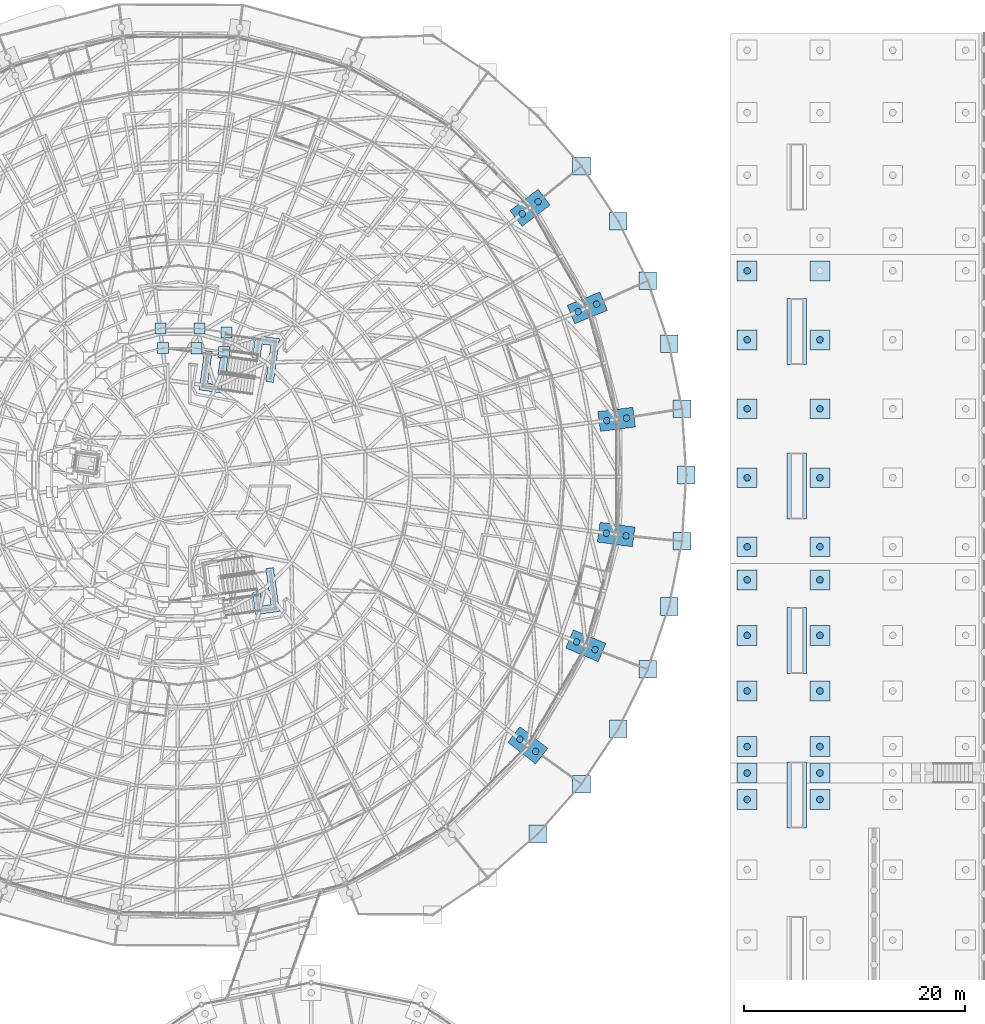
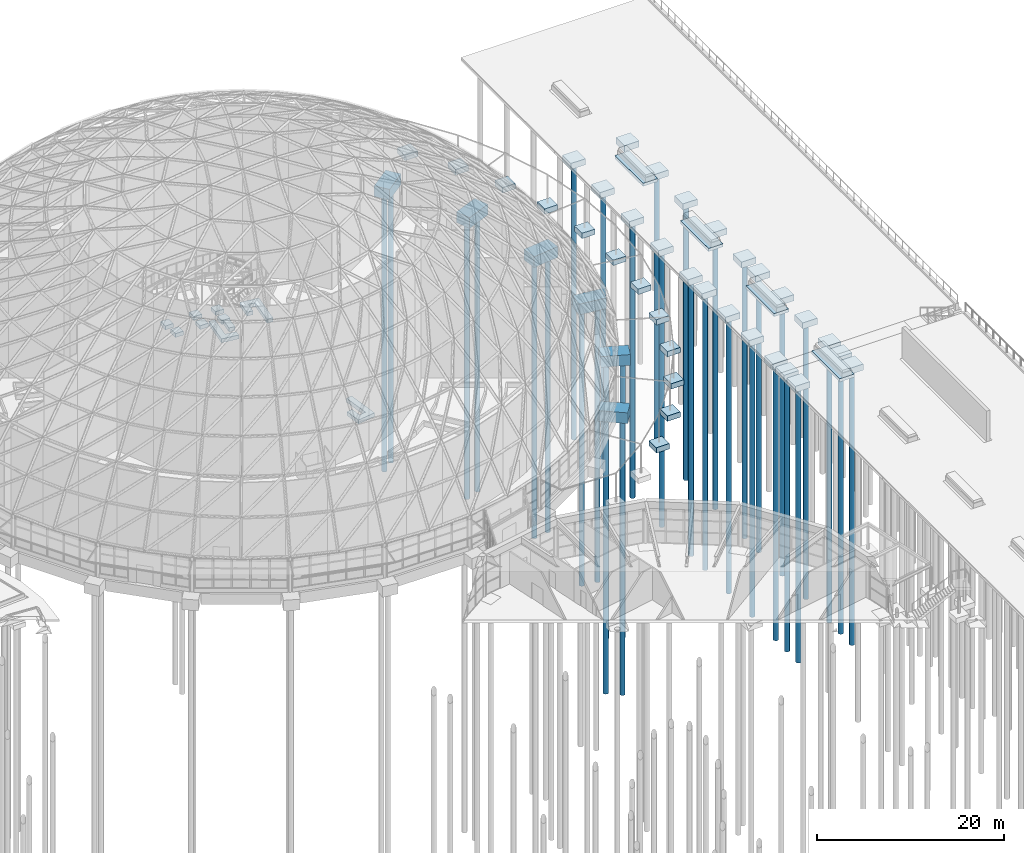
# One storey, part 10 of 226: 54 footings, 33 piles.
"""IFC4 building model written with IfcOpenShell, lengths in metres."""

from ifc_helpers import new_model, si_unit, direction, frame, origin, origin_2d, place, context, subcontext, project, spatial, polyline, circle, outline, extrude, material, layer, layer_set, material_profile, profile_set, type_object, element, save


model = new_model("IFC4")

# Units and contexts
model_context = context("Model", 3, precision=1e-05, world=origin(), true_north=direction((0.0, 1.0)))
body_context = subcontext(model_context, "Body", "Model", "MODEL_VIEW")
ifc_project = project(units=[si_unit("LENGTHUNIT", "METRE"), si_unit("AREAUNIT", "SQUARE_METRE"), si_unit("VOLUMEUNIT", "CUBIC_METRE"), si_unit("PLANEANGLEUNIT", "RADIAN"), si_unit("MASSUNIT", "GRAM", prefix="KILO")], contexts=[model_context])

# Site, building, storey
site_placement = place(None, origin())
site = spatial("IfcSite", under=ifc_project, at=site_placement, CompositionType="ELEMENT")
building_placement = place(site_placement, origin())
building = spatial("IfcBuilding", under=site, at=building_placement, Name="Ceibo Conservatory and Research Tower", CompositionType="ELEMENT")
storey_placement = place(building_placement, origin())
storey = spatial("IfcBuildingStorey", under=building, at=storey_placement, Name="L00", CompositionType="ELEMENT", Elevation=0.0)

# Piles
ifc_material_1 = material(Name="Concrete C35/45", Category="concrete")
ifc_material_profile = material_profile(ifc_material_1, circle(Radius=0.300048828125, at=origin_2d()), Name="RC D600")
ifc_profile_set = profile_set([ifc_material_profile], Name="Concrete C35/45")
pile_type = type_object("IfcPileType", Name="Bored pile D600", PredefinedType="BORED", material=ifc_profile_set)
for number, where, z_axis, x_axis, name in (
    (1, (194.787353515625, 112.934326171875, -1.300048828125), (0.0, 0.0, -1.0), (1.0, 0.0, 0.0), "Pile DA.CAP.L00.01 01"),
    (2, (196.572998046875, 113.16162109375, -1.300048828125), (0.0, 0.0, -1.0), (1.0, 0.0, 0.0), "Pile DA.CAP.L00.01 02"),
    (3, (192.188720703125, 122.80517578125, -1.300048828125), (0.0, 0.0, -1.0), (1.0, 0.0, 0.0), "Pile DA.CAP.L00.02 01"),
    (4, (193.8544921875, 123.48681640625, -1.300048828125), (0.0, 0.0, -1.0), (1.0, 0.0, 0.0), "Pile DA.CAP.L00.02 02"),
    (5, (187.123779296875, 131.6669921875, -1.300048828125), (0.0, 0.0, -1.0), (1.0, 0.0, 0.0), "Pile DA.CAP.L00.03 01"),
    (6, (188.556396484375, 132.756591796875, -1.300048828125), (0.0, 0.0, -1.0), (1.0, 0.0, 0.0), "Pile DA.CAP.L00.03 02"),
    (7, (186.916015625, 84.062255859375, -1.300048828125), (0.0, 0.0, -1.0), (1.0, 0.0, 0.0), "Pile DA.CAP.L00.22 01"),
    (8, (188.339111328125, 82.960205078125, -1.300048828125), (0.0, 0.0, -1.0), (1.0, 0.0, 0.0), "Pile DA.CAP.L00.22 02"),
    (9, (192.05810546875, 92.879638671875, -1.300048828125), (0.0, 0.0, -1.0), (1.0, 0.0, 0.0), "Pile DA.CAP.L00.23 01"),
    (10, (193.718017578125, 92.18359375, -1.300048828125), (0.0, 0.0, -1.0), (1.0, 0.0, 0.0), "Pile DA.CAP.L00.23 02"),
    (11, (194.742919921875, 102.727294921875, -1.300048828125), (0.0, 0.0, -1.0), (1.0, 0.0, 0.0), "Pile DA.CAP.L00.24 01"),
    (12, (196.5263671875, 102.484619140625, -1.300048828125), (0.0, 0.0, -1.0), (1.0, 0.0, 0.0), "Pile DA.CAP.L00.24 02"),
    (13, (207.5, 78.60009765625, -1.14990234375), (0.0, 0.0, -1.0), (1.0, 0.0, 0.0), "Pile SITE.QDECK.CAP.N3.13 01"),
    (14, (214.10009765625, 78.60009765625, -1.14990234375), (0.0, 0.0, -1.0), (1.0, 0.0, 0.0), "Pile SITE.QDECK.CAP.N3.14 01"),
    (15, (207.5, 81.0, -1.14990234375), (0.0, 0.0, -1.0), (1.0, 0.0, 0.0), "Pile SITE.QDECK.CAP.N3.17 01"),
    (16, (214.10009765625, 81.0, -1.14990234375), (0.0, 0.0, -1.0), (1.0, 0.0, 0.0), "Pile SITE.QDECK.CAP.N3.18 01"),
    (17, (207.5, 83.39990234375, -1.14990234375), (0.0, 0.0, -1.0), (1.0, 0.0, 0.0), "Pile SITE.QDECK.CAP.S1.01 01"),
    (18, (214.10009765625, 83.39990234375, -1.14990234375), (0.0, 0.0, -1.0), (1.0, 0.0, 0.0), "Pile SITE.QDECK.CAP.S1.02 01"),
    (19, (207.5, 88.433349609375, -1.14990234375), (0.0, 0.0, -1.0), (1.0, 0.0, 0.0), "Pile SITE.QDECK.CAP.S1.05 01"),
    (20, (214.10009765625, 88.433349609375, -1.14990234375), (0.0, 0.0, -1.0), (1.0, 0.0, 0.0), "Pile SITE.QDECK.CAP.S1.06 01"),
    (21, (207.5, 93.466552734375, -1.14990234375), (0.0, 0.0, -1.0), (1.0, 0.0, 0.0), "Pile SITE.QDECK.CAP.S1.09 01"),
    (22, (214.10009765625, 93.466552734375, -1.14990234375), (0.0, 0.0, -1.0), (1.0, 0.0, 0.0), "Pile SITE.QDECK.CAP.S1.10 01"),
    (23, (207.5, 98.5, -1.14990234375), (0.0, 0.0, -1.0), (1.0, 0.0, 0.0), "Pile SITE.QDECK.CAP.S1.13 01"),
    (24, (214.10009765625, 98.5, -1.14990234375), (0.0, 0.0, -1.0), (1.0, 0.0, 0.0), "Pile SITE.QDECK.CAP.S1.14 01"),
    (25, (207.5, 101.5, -1.14990234375), (0.0, 0.0, -1.0), (1.0, 0.0, 0.0), "Pile SITE.QDECK.CAP.S2.01 01"),
    (26, (214.10009765625, 101.5, -1.14990234375), (0.0, 0.0, -1.0), (1.0, 0.0, 0.0), "Pile SITE.QDECK.CAP.S2.02 01"),
    (27, (207.5, 107.75, -1.14990234375), (0.0, 0.0, -1.0), (1.0, 0.0, 0.0), "Pile SITE.QDECK.CAP.S2.05 01"),
    (28, (214.10009765625, 107.75, -1.14990234375), (0.0, 0.0, -1.0), (1.0, 0.0, 0.0), "Pile SITE.QDECK.CAP.S2.06 01"),
    (29, (207.5, 114.0, -1.14990234375), (0.0, 0.0, -1.0), (1.0, 0.0, 0.0), "Pile SITE.QDECK.CAP.S2.09 01"),
    (30, (214.10009765625, 114.0, -1.14990234375), (0.0, 0.0, -1.0), (1.0, 0.0, 0.0), "Pile SITE.QDECK.CAP.S2.10 01"),
    (31, (207.5, 120.25, -1.14990234375), (0.0, 0.0, -1.0), (1.0, 0.0, 0.0), "Pile SITE.QDECK.CAP.S2.13 01"),
    (32, (214.10009765625, 120.25, -1.14990234375), (0.0, 0.0, -1.0), (1.0, 0.0, 0.0), "Pile SITE.QDECK.CAP.S2.14 01"),
    (33, (207.5, 126.5, -1.14990234375), (0.0, 0.0, -1.0), (1.0, 0.0, 0.0), "Pile SITE.QDECK.CAP.S2.17 01"),
):
    element("IfcPile", number, at=place(storey_placement, frame(where, z_axis=z_axis, x_axis=x_axis)), inside=storey, type_object=pile_type, Name=name, PredefinedType="BORED", context=body_context, shape_type="SweptSolid", body=[
        extrude(circle(Radius=0.300048828125, at=origin_2d()), origin(), (0.0, 0.0, 1.0), 36.0),
    ])

# Footings
ifc_material_2 = material(Name="Concrete C40/50", Category="concrete")
ifc_layer_1 = layer(ifc_material_2, 0.699951171875)
ifc_layer_set_1 = layer_set([ifc_layer_1], Name="Concrete C40/50")
footing_type_1 = type_object("IfcFootingType", Name="Pad footing 1600x1600x700", PredefinedType="PAD_FOOTING", material=ifc_layer_set_1)
footing_1_placement = place(storey_placement, frame((0.0, 0.0, -0.699951171875)))
element("IfcFooting", 34, at=footing_1_placement, inside=storey, type_object=footing_type_1, Name="Pad footing LATE.DA.CAP.L00.03", PredefinedType="PAD_FOOTING", context=body_context, shape_type="SweptSolid", body=[
    extrude(outline(polyline([(187.726806640625, 74.673095703125), (189.326904296875, 74.673095703125), (189.326904296875, 76.273193359375), (187.726806640625, 76.273193359375), (187.726806640625, 74.673095703125)])), origin(), (0.0, 0.0, 1.0), 0.699951171875),
])
footing_2_placement = place(storey_placement, frame((0.0, 0.0, -0.699951171875)))
element("IfcFooting", 35, at=footing_2_placement, inside=storey, type_object=footing_type_1, Name="Pad footing LATE.DA.CAP.L00.04", PredefinedType="PAD_FOOTING", context=body_context, shape_type="SweptSolid", body=[
    extrude(outline(polyline([(191.6943359375, 79.197021484375), (193.294189453125, 79.197021484375), (193.294189453125, 80.796875), (191.6943359375, 80.796875), (191.6943359375, 79.197021484375)])), origin(), (0.0, 0.0, 1.0), 0.699951171875),
])
footing_3_placement = place(storey_placement, frame((0.0, 0.0, -0.699951171875)))
element("IfcFooting", 36, at=footing_3_placement, inside=storey, type_object=footing_type_1, Name="Pad footing LATE.DA.CAP.L00.05", PredefinedType="PAD_FOOTING", context=body_context, shape_type="SweptSolid", body=[
    extrude(outline(polyline([(195.037109375, 84.199951171875), (196.63720703125, 84.199951171875), (196.63720703125, 85.800048828125), (195.037109375, 85.800048828125), (195.037109375, 84.199951171875)])), origin(), (0.0, 0.0, 1.0), 0.699951171875),
])
footing_4_placement = place(storey_placement, frame((0.0, 0.0, -0.699951171875)))
element("IfcFooting", 37, at=footing_4_placement, inside=storey, type_object=footing_type_1, Name="Pad footing LATE.DA.CAP.L00.06", PredefinedType="PAD_FOOTING", context=body_context, shape_type="SweptSolid", body=[
    extrude(outline(polyline([(197.698486328125, 89.5966796875), (199.29833984375, 89.5966796875), (199.29833984375, 91.196533203125), (197.698486328125, 91.196533203125), (197.698486328125, 89.5966796875)])), origin(), (0.0, 0.0, 1.0), 0.699951171875),
])
footing_5_placement = place(storey_placement, frame((0.0, 0.0, -0.699951171875)))
element("IfcFooting", 38, at=footing_5_placement, inside=storey, type_object=footing_type_1, Name="Pad footing LATE.DA.CAP.L00.07", PredefinedType="PAD_FOOTING", context=body_context, shape_type="SweptSolid", body=[
    extrude(outline(polyline([(199.632568359375, 95.29443359375), (201.232666015625, 95.29443359375), (201.232666015625, 96.894287109375), (199.632568359375, 96.894287109375), (199.632568359375, 95.29443359375)])), origin(), (0.0, 0.0, 1.0), 0.699951171875),
])
footing_6_placement = place(storey_placement, frame((0.0, 0.0, -0.699951171875)))
element("IfcFooting", 39, at=footing_6_placement, inside=storey, type_object=footing_type_1, Name="Pad footing LATE.DA.CAP.L00.08", PredefinedType="PAD_FOOTING", context=body_context, shape_type="SweptSolid", body=[
    extrude(outline(polyline([(200.806396484375, 101.19580078125), (202.406494140625, 101.19580078125), (202.406494140625, 102.7958984375), (200.806396484375, 102.7958984375), (200.806396484375, 101.19580078125)])), origin(), (0.0, 0.0, 1.0), 0.699951171875),
])
footing_7_placement = place(storey_placement, frame((0.0, 0.0, -0.699951171875)))
element("IfcFooting", 40, at=footing_7_placement, inside=storey, type_object=footing_type_1, Name="Pad footing LATE.DA.CAP.L00.09", PredefinedType="PAD_FOOTING", context=body_context, shape_type="SweptSolid", body=[
    extrude(outline(polyline([(201.199951171875, 107.199951171875), (202.800048828125, 107.199951171875), (202.800048828125, 108.800048828125), (201.199951171875, 108.800048828125), (201.199951171875, 107.199951171875)])), origin(), (0.0, 0.0, 1.0), 0.699951171875),
])
footing_8_placement = place(storey_placement, frame((0.0, 0.0, -0.699951171875)))
element("IfcFooting", 41, at=footing_8_placement, inside=storey, type_object=footing_type_1, Name="Pad footing LATE.DA.CAP.L00.10", PredefinedType="PAD_FOOTING", context=body_context, shape_type="SweptSolid", body=[
    extrude(outline(polyline([(200.806396484375, 113.2041015625), (202.406494140625, 113.2041015625), (202.406494140625, 114.80419921875), (200.806396484375, 114.80419921875), (200.806396484375, 113.2041015625)])), origin(), (0.0, 0.0, 1.0), 0.699951171875),
])
footing_9_placement = place(storey_placement, frame((0.0, 0.0, -0.699951171875)))
element("IfcFooting", 42, at=footing_9_placement, inside=storey, type_object=footing_type_1, Name="Pad footing LATE.DA.CAP.L00.11", PredefinedType="PAD_FOOTING", context=body_context, shape_type="SweptSolid", body=[
    extrude(outline(polyline([(199.632568359375, 119.105712890625), (201.232666015625, 119.105712890625), (201.232666015625, 120.70556640625), (199.632568359375, 120.70556640625), (199.632568359375, 119.105712890625)])), origin(), (0.0, 0.0, 1.0), 0.699951171875),
])
footing_10_placement = place(storey_placement, frame((0.0, 0.0, -0.699951171875)))
element("IfcFooting", 43, at=footing_10_placement, inside=storey, type_object=footing_type_1, Name="Pad footing LATE.DA.CAP.L00.12", PredefinedType="PAD_FOOTING", context=body_context, shape_type="SweptSolid", body=[
    extrude(outline(polyline([(197.698486328125, 124.803466796875), (199.29833984375, 124.803466796875), (199.29833984375, 126.4033203125), (197.698486328125, 126.4033203125), (197.698486328125, 124.803466796875)])), origin(), (0.0, 0.0, 1.0), 0.699951171875),
])
footing_11_placement = place(storey_placement, frame((0.0, 0.0, -0.699951171875)))
element("IfcFooting", 44, at=footing_11_placement, inside=storey, type_object=footing_type_1, Name="Pad footing LATE.DA.CAP.L00.13", PredefinedType="PAD_FOOTING", context=body_context, shape_type="SweptSolid", body=[
    extrude(outline(polyline([(195.037109375, 130.199951171875), (196.63720703125, 130.199951171875), (196.63720703125, 131.800048828125), (195.037109375, 131.800048828125), (195.037109375, 130.199951171875)])), origin(), (0.0, 0.0, 1.0), 0.699951171875),
])
footing_12_placement = place(storey_placement, frame((0.0, 0.0, -0.699951171875)))
element("IfcFooting", 45, at=footing_12_placement, inside=storey, type_object=footing_type_1, Name="Pad footing LATE.DA.CAP.L00.14", PredefinedType="PAD_FOOTING", context=body_context, shape_type="SweptSolid", body=[
    extrude(outline(polyline([(191.6943359375, 135.203125), (193.294189453125, 135.203125), (193.294189453125, 136.802978515625), (191.6943359375, 136.802978515625), (191.6943359375, 135.203125)])), origin(), (0.0, 0.0, 1.0), 0.699951171875),
])
ifc_layer_2 = layer(ifc_material_2, 0.800048828125)
ifc_layer_set_2 = layer_set([ifc_layer_2], Name="Concrete C40/50")
footing_type_2 = type_object("IfcFootingType", Name="Pile cap 1800x1800x800", PredefinedType="PILE_CAP", material=ifc_layer_set_2)
footing_13_placement = place(storey_placement, frame((0.0, 0.0, -1.25)))
element("IfcFooting", 46, at=footing_13_placement, inside=storey, type_object=footing_type_2, Name="Quay deck pile cap N3-13", PredefinedType="PILE_CAP", context=body_context, shape_type="SweptSolid", body=[
    extrude(outline(polyline([(206.60009765625, 77.699951171875), (208.39990234375, 77.699951171875), (208.39990234375, 79.5), (206.60009765625, 79.5), (206.60009765625, 77.699951171875)])), origin(), (0.0, 0.0, 1.0), 0.800048828125),
])
footing_14_placement = place(storey_placement, frame((0.0, 0.0, -1.25)))
element("IfcFooting", 47, at=footing_14_placement, inside=storey, type_object=footing_type_2, Name="Quay deck pile cap N3-14", PredefinedType="PILE_CAP", context=body_context, shape_type="SweptSolid", body=[
    extrude(outline(polyline([(213.199951171875, 77.699951171875), (215.0, 77.699951171875), (215.0, 79.5), (213.199951171875, 79.5), (213.199951171875, 77.699951171875)])), origin(), (0.0, 0.0, 1.0), 0.800048828125),
])
footing_15_placement = place(storey_placement, frame((0.0, 0.0, -1.25)))
element("IfcFooting", 48, at=footing_15_placement, inside=storey, type_object=footing_type_2, Name="Quay deck pile cap N3-17", PredefinedType="PILE_CAP", context=body_context, shape_type="SweptSolid", body=[
    extrude(outline(polyline([(206.60009765625, 80.10009765625), (208.39990234375, 80.10009765625), (208.39990234375, 81.89990234375), (206.60009765625, 81.89990234375), (206.60009765625, 80.10009765625)])), origin(), (0.0, 0.0, 1.0), 0.800048828125),
])
footing_16_placement = place(storey_placement, frame((0.0, 0.0, -1.25)))
element("IfcFooting", 49, at=footing_16_placement, inside=storey, type_object=footing_type_2, Name="Quay deck pile cap N3-18", PredefinedType="PILE_CAP", context=body_context, shape_type="SweptSolid", body=[
    extrude(outline(polyline([(213.199951171875, 80.10009765625), (215.0, 80.10009765625), (215.0, 81.89990234375), (213.199951171875, 81.89990234375), (213.199951171875, 80.10009765625)])), origin(), (0.0, 0.0, 1.0), 0.800048828125),
])
footing_17_placement = place(storey_placement, frame((0.0, 0.0, -1.25)))
element("IfcFooting", 50, at=footing_17_placement, inside=storey, type_object=footing_type_2, Name="Quay deck pile cap S1-01", PredefinedType="PILE_CAP", context=body_context, shape_type="SweptSolid", body=[
    extrude(outline(polyline([(206.60009765625, 82.5), (208.39990234375, 82.5), (208.39990234375, 84.300048828125), (206.60009765625, 84.300048828125), (206.60009765625, 82.5)])), origin(), (0.0, 0.0, 1.0), 0.800048828125),
])
footing_18_placement = place(storey_placement, frame((0.0, 0.0, -1.25)))
element("IfcFooting", 51, at=footing_18_placement, inside=storey, type_object=footing_type_2, Name="Quay deck pile cap S1-02", PredefinedType="PILE_CAP", context=body_context, shape_type="SweptSolid", body=[
    extrude(outline(polyline([(213.199951171875, 82.5), (215.0, 82.5), (215.0, 84.300048828125), (213.199951171875, 84.300048828125), (213.199951171875, 82.5)])), origin(), (0.0, 0.0, 1.0), 0.800048828125),
])
footing_19_placement = place(storey_placement, frame((0.0, 0.0, -1.25)))
element("IfcFooting", 52, at=footing_19_placement, inside=storey, type_object=footing_type_2, Name="Quay deck pile cap S1-05", PredefinedType="PILE_CAP", context=body_context, shape_type="SweptSolid", body=[
    extrude(outline(polyline([(206.60009765625, 87.533447265625), (208.39990234375, 87.533447265625), (208.39990234375, 89.333251953125), (206.60009765625, 89.333251953125), (206.60009765625, 87.533447265625)])), origin(), (0.0, 0.0, 1.0), 0.800048828125),
])
footing_20_placement = place(storey_placement, frame((0.0, 0.0, -1.25)))
element("IfcFooting", 53, at=footing_20_placement, inside=storey, type_object=footing_type_2, Name="Quay deck pile cap S1-06", PredefinedType="PILE_CAP", context=body_context, shape_type="SweptSolid", body=[
    extrude(outline(polyline([(213.199951171875, 87.533447265625), (215.0, 87.533447265625), (215.0, 89.333251953125), (213.199951171875, 89.333251953125), (213.199951171875, 87.533447265625)])), origin(), (0.0, 0.0, 1.0), 0.800048828125),
])
footing_21_placement = place(storey_placement, frame((0.0, 0.0, -1.25)))
element("IfcFooting", 54, at=footing_21_placement, inside=storey, type_object=footing_type_2, Name="Quay deck pile cap S1-09", PredefinedType="PILE_CAP", context=body_context, shape_type="SweptSolid", body=[
    extrude(outline(polyline([(206.60009765625, 92.566650390625), (208.39990234375, 92.566650390625), (208.39990234375, 94.36669921875), (206.60009765625, 94.36669921875), (206.60009765625, 92.566650390625)])), origin(), (0.0, 0.0, 1.0), 0.800048828125),
])
footing_22_placement = place(storey_placement, frame((0.0, 0.0, -1.25)))
element("IfcFooting", 55, at=footing_22_placement, inside=storey, type_object=footing_type_2, Name="Quay deck pile cap S1-10", PredefinedType="PILE_CAP", context=body_context, shape_type="SweptSolid", body=[
    extrude(outline(polyline([(213.199951171875, 92.566650390625), (215.0, 92.566650390625), (215.0, 94.36669921875), (213.199951171875, 94.36669921875), (213.199951171875, 92.566650390625)])), origin(), (0.0, 0.0, 1.0), 0.800048828125),
])
footing_23_placement = place(storey_placement, frame((0.0, 0.0, -1.25)))
element("IfcFooting", 56, at=footing_23_placement, inside=storey, type_object=footing_type_2, Name="Quay deck pile cap S1-13", PredefinedType="PILE_CAP", context=body_context, shape_type="SweptSolid", body=[
    extrude(outline(polyline([(206.60009765625, 97.60009765625), (208.39990234375, 97.60009765625), (208.39990234375, 99.39990234375), (206.60009765625, 99.39990234375), (206.60009765625, 97.60009765625)])), origin(), (0.0, 0.0, 1.0), 0.800048828125),
])
footing_24_placement = place(storey_placement, frame((0.0, 0.0, -1.25)))
element("IfcFooting", 57, at=footing_24_placement, inside=storey, type_object=footing_type_2, Name="Quay deck pile cap S1-14", PredefinedType="PILE_CAP", context=body_context, shape_type="SweptSolid", body=[
    extrude(outline(polyline([(213.199951171875, 97.60009765625), (215.0, 97.60009765625), (215.0, 99.39990234375), (213.199951171875, 99.39990234375), (213.199951171875, 97.60009765625)])), origin(), (0.0, 0.0, 1.0), 0.800048828125),
])
footing_25_placement = place(storey_placement, frame((0.0, 0.0, -1.25)))
element("IfcFooting", 58, at=footing_25_placement, inside=storey, type_object=footing_type_2, Name="Quay deck pile cap S2-01", PredefinedType="PILE_CAP", context=body_context, shape_type="SweptSolid", body=[
    extrude(outline(polyline([(206.60009765625, 100.60009765625), (208.39990234375, 100.60009765625), (208.39990234375, 102.39990234375), (206.60009765625, 102.39990234375), (206.60009765625, 100.60009765625)])), origin(), (0.0, 0.0, 1.0), 0.800048828125),
])
footing_26_placement = place(storey_placement, frame((0.0, 0.0, -1.25)))
element("IfcFooting", 59, at=footing_26_placement, inside=storey, type_object=footing_type_2, Name="Quay deck pile cap S2-02", PredefinedType="PILE_CAP", context=body_context, shape_type="SweptSolid", body=[
    extrude(outline(polyline([(213.199951171875, 100.60009765625), (215.0, 100.60009765625), (215.0, 102.39990234375), (213.199951171875, 102.39990234375), (213.199951171875, 100.60009765625)])), origin(), (0.0, 0.0, 1.0), 0.800048828125),
])
footing_27_placement = place(storey_placement, frame((0.0, 0.0, -1.25)))
element("IfcFooting", 60, at=footing_27_placement, inside=storey, type_object=footing_type_2, Name="Quay deck pile cap S2-05", PredefinedType="PILE_CAP", context=body_context, shape_type="SweptSolid", body=[
    extrude(outline(polyline([(206.60009765625, 106.85009765625), (208.39990234375, 106.85009765625), (208.39990234375, 108.64990234375), (206.60009765625, 108.64990234375), (206.60009765625, 106.85009765625)])), origin(), (0.0, 0.0, 1.0), 0.800048828125),
])
footing_28_placement = place(storey_placement, frame((0.0, 0.0, -1.25)))
element("IfcFooting", 61, at=footing_28_placement, inside=storey, type_object=footing_type_2, Name="Quay deck pile cap S2-06", PredefinedType="PILE_CAP", context=body_context, shape_type="SweptSolid", body=[
    extrude(outline(polyline([(213.199951171875, 106.85009765625), (215.0, 106.85009765625), (215.0, 108.64990234375), (213.199951171875, 108.64990234375), (213.199951171875, 106.85009765625)])), origin(), (0.0, 0.0, 1.0), 0.800048828125),
])
footing_29_placement = place(storey_placement, frame((0.0, 0.0, -1.25)))
element("IfcFooting", 62, at=footing_29_placement, inside=storey, type_object=footing_type_2, Name="Quay deck pile cap S2-09", PredefinedType="PILE_CAP", context=body_context, shape_type="SweptSolid", body=[
    extrude(outline(polyline([(206.60009765625, 113.10009765625), (208.39990234375, 113.10009765625), (208.39990234375, 114.89990234375), (206.60009765625, 114.89990234375), (206.60009765625, 113.10009765625)])), origin(), (0.0, 0.0, 1.0), 0.800048828125),
])
footing_30_placement = place(storey_placement, frame((0.0, 0.0, -1.25)))
element("IfcFooting", 63, at=footing_30_placement, inside=storey, type_object=footing_type_2, Name="Quay deck pile cap S2-10", PredefinedType="PILE_CAP", context=body_context, shape_type="SweptSolid", body=[
    extrude(outline(polyline([(213.199951171875, 113.10009765625), (215.0, 113.10009765625), (215.0, 114.89990234375), (213.199951171875, 114.89990234375), (213.199951171875, 113.10009765625)])), origin(), (0.0, 0.0, 1.0), 0.800048828125),
])
footing_31_placement = place(storey_placement, frame((0.0, 0.0, -1.25)))
element("IfcFooting", 64, at=footing_31_placement, inside=storey, type_object=footing_type_2, Name="Quay deck pile cap S2-13", PredefinedType="PILE_CAP", context=body_context, shape_type="SweptSolid", body=[
    extrude(outline(polyline([(206.60009765625, 119.35009765625), (208.39990234375, 119.35009765625), (208.39990234375, 121.14990234375), (206.60009765625, 121.14990234375), (206.60009765625, 119.35009765625)])), origin(), (0.0, 0.0, 1.0), 0.800048828125),
])
footing_32_placement = place(storey_placement, frame((0.0, 0.0, -1.25)))
element("IfcFooting", 65, at=footing_32_placement, inside=storey, type_object=footing_type_2, Name="Quay deck pile cap S2-14", PredefinedType="PILE_CAP", context=body_context, shape_type="SweptSolid", body=[
    extrude(outline(polyline([(213.199951171875, 119.35009765625), (215.0, 119.35009765625), (215.0, 121.14990234375), (213.199951171875, 121.14990234375), (213.199951171875, 119.35009765625)])), origin(), (0.0, 0.0, 1.0), 0.800048828125),
])
footing_33_placement = place(storey_placement, frame((0.0, 0.0, -1.25)))
element("IfcFooting", 66, at=footing_33_placement, inside=storey, type_object=footing_type_2, Name="Quay deck pile cap S2-17", PredefinedType="PILE_CAP", context=body_context, shape_type="SweptSolid", body=[
    extrude(outline(polyline([(206.60009765625, 125.60009765625), (208.39990234375, 125.60009765625), (208.39990234375, 127.39990234375), (206.60009765625, 127.39990234375), (206.60009765625, 125.60009765625)])), origin(), (0.0, 0.0, 1.0), 0.800048828125),
])
footing_34_placement = place(storey_placement, frame((0.0, 0.0, -1.25)))
element("IfcFooting", 67, at=footing_34_placement, inside=storey, type_object=footing_type_2, Name="Quay deck pile cap S2-18", PredefinedType="PILE_CAP", context=body_context, shape_type="SweptSolid", body=[
    extrude(outline(polyline([(213.199951171875, 125.60009765625), (215.0, 125.60009765625), (215.0, 127.39990234375), (213.199951171875, 127.39990234375), (213.199951171875, 125.60009765625)])), origin(), (0.0, 0.0, 1.0), 0.800048828125),
])
ifc_layer_3 = layer(ifc_material_2, 1.39990234375)
ifc_layer_set_3 = layer_set([ifc_layer_3], Name="Concrete C40/50")
footing_type_3 = type_object("IfcFootingType", Name="Pile cap 3200x1800x1400", PredefinedType="PILE_CAP", material=ifc_layer_set_3)
for number, where, z_axis, x_axis, name in (
    (68, (194.20654296875, 111.953125, -1.39990234375), (0.0, 0.0, 1.0), (0.992004938793, 0.126199054713, 0.0), "Pile cap DA.CAP.L00.01"),
    (69, (191.881591796875, 121.70703125, -1.39990234375), (0.0, 0.0, 1.0), (0.925540584393, 0.378648420887, 0.0), "Pile cap DA.CAP.L00.02"),
    (70, (187.111328125, 130.52685546875, -1.39990234375), (0.0, 0.0, 1.0), (0.796002034428, 0.605293946101, 0.0), "Pile cap DA.CAP.L00.03"),
    (71, (185.8115234375, 83.779296875, -1.39990234375), (0.0, 0.0, 1.0), (0.790689661174, -0.612217167116, 0.0), "Pile cap DA.CAP.L00.22"),
    (72, (191.064453125, 92.3203125, -1.39990234375), (0.0, 0.0, 1.0), (0.922200975168, -0.386710953296, 0.0), "Pile cap DA.CAP.L00.23"),
    (73, (193.927978515625, 101.929931640625, -1.39990234375), (0.0, 0.0, 1.0), (0.990865897151, -0.134850932009, 0.0), "Pile cap DA.CAP.L00.24"),
):
    element("IfcFooting", number, at=place(storey_placement, frame(where, z_axis=z_axis, x_axis=x_axis)), inside=storey, type_object=footing_type_3, Name=name, PredefinedType="PILE_CAP", context=body_context, shape_type="SweptSolid", body=[
        extrude(outline(polyline([(0.0, 0.0), (3.199951171875, 0.0), (3.199951171875, 1.800048828125), (0.0, 1.800048828125), (0.0, 0.0)])), origin(), (0.0, 0.0, 1.0), 1.39990234375),
    ])
ifc_layer_4 = layer(ifc_material_2, 0.5)
ifc_layer_set_4 = layer_set([ifc_layer_4], Name="Concrete C40/50")
footing_type_4 = type_object("IfcFootingType", Name="Stair support footing 500", PredefinedType="STRIP_FOOTING", material=ifc_layer_set_4)
footing_35_placement = place(storey_placement, frame((0.0, 0.0, -0.75)))
element("IfcFooting", 74, at=footing_35_placement, inside=storey, type_object=footing_type_4, Name="Stair support footing 1.11", PredefinedType="STRIP_FOOTING", context=body_context, shape_type="SweptSolid", body=[
    extrude(outline(polyline([(158.188720703125, 115.669921875), (159.82275390625, 115.4404296875), (159.920166015625, 116.133544921875), (158.6328125, 116.314453125), (159.036376953125, 119.186279296875), (158.34326171875, 119.28369140625), (157.84228515625, 115.71875), (158.188720703125, 115.669921875)])), origin(), (0.0, 0.0, 1.0), 0.5),
])
footing_36_placement = place(storey_placement, frame((0.0, 0.0, -0.75)))
element("IfcFooting", 75, at=footing_36_placement, inside=storey, type_object=footing_type_4, Name="Stair support footing 1.12", PredefinedType="STRIP_FOOTING", context=body_context, shape_type="SweptSolid", body=[
    extrude(outline(polyline([(159.55029296875, 117.094482421875), (160.243408203125, 116.9970703125), (160.521728515625, 118.9775390625), (159.82861328125, 119.074951171875), (159.55029296875, 117.094482421875)])), origin(), (0.0, 0.0, 1.0), 0.5),
])
footing_37_placement = place(storey_placement, frame((0.0, 0.0, -0.75)))
element("IfcFooting", 76, at=footing_37_placement, inside=storey, type_object=footing_type_4, Name="Stair support footing 1.21", PredefinedType="STRIP_FOOTING", context=body_context, shape_type="SweptSolid", body=[
    extrude(outline(polyline([(164.406982421875, 120.451171875), (163.404541015625, 120.592041015625), (162.958984375, 120.654541015625), (162.6806640625, 118.674072265625), (163.373779296875, 118.57666015625), (163.5546875, 119.864013671875), (164.346923828125, 119.752685546875), (163.8876953125, 116.48486328125), (164.580810546875, 116.387451171875), (165.137451171875, 120.348388671875), (164.406982421875, 120.451171875)])), origin(), (0.0, 0.0, 1.0), 0.5),
])
footing_38_placement = place(storey_placement, frame((0.0, 0.0, -0.75)))
element("IfcFooting", 77, at=footing_38_placement, inside=storey, type_object=footing_type_4, Name="Stair support footing 2.21", PredefinedType="STRIP_FOOTING", context=body_context, shape_type="SweptSolid", body=[
    extrude(outline(polyline([(163.61962890625, 95.438232421875), (164.69189453125, 95.5888671875), (165.137451171875, 95.651611328125), (164.580810546875, 99.612548828125), (163.8876953125, 99.51513671875), (164.346923828125, 96.247314453125), (163.5546875, 96.135986328125), (163.373779296875, 97.42333984375), (162.6806640625, 97.325927734375), (162.958984375, 95.345458984375), (163.61962890625, 95.438232421875), (163.61962890625, 95.438232421875)])), origin(), (0.0, 0.0, 1.0), 0.5),
])
ifc_layer_5 = layer(ifc_material_2, 0.39990234375)
ifc_layer_set_5 = layer_set([ifc_layer_5], Name="Concrete C40/50")
footing_type_5 = type_object("IfcFootingType", Name="Strip footing 1800x400", PredefinedType="STRIP_FOOTING", material=ifc_layer_set_5)
footing_39_placement = place(storey_placement, frame((0.0, 0.0, -0.39990234375)))
element("IfcFooting", 78, at=footing_39_placement, inside=storey, type_object=footing_type_5, Name="Strip footing SITE.STRIP.PLANTER.L00.P05", PredefinedType="STRIP_FOOTING", context=body_context, shape_type="SweptSolid", body=[
    extrude(outline(polyline([(212.89990234375, 76.0), (212.89990234375, 82.0), (211.10009765625, 82.0), (211.10009765625, 76.0), (212.89990234375, 76.0)])), origin(), (0.0, 0.0, 1.0), 0.39990234375),
])
footing_40_placement = place(storey_placement, frame((0.0, 0.0, -0.39990234375)))
element("IfcFooting", 79, at=footing_40_placement, inside=storey, type_object=footing_type_5, Name="Strip footing SITE.STRIP.PLANTER.L00.P06", PredefinedType="STRIP_FOOTING", context=body_context, shape_type="SweptSolid", body=[
    extrude(outline(polyline([(212.89990234375, 90.0), (212.89990234375, 96.0), (211.10009765625, 96.0), (211.10009765625, 90.0), (212.89990234375, 90.0)])), origin(), (0.0, 0.0, 1.0), 0.39990234375),
])
footing_41_placement = place(storey_placement, frame((0.0, 0.0, -0.39990234375)))
element("IfcFooting", 80, at=footing_41_placement, inside=storey, type_object=footing_type_5, Name="Strip footing SITE.STRIP.PLANTER.L00.P07", PredefinedType="STRIP_FOOTING", context=body_context, shape_type="SweptSolid", body=[
    extrude(outline(polyline([(212.89990234375, 104.0), (212.89990234375, 110.0), (211.10009765625, 110.0), (211.10009765625, 104.0), (212.89990234375, 104.0)])), origin(), (0.0, 0.0, 1.0), 0.39990234375),
])
footing_42_placement = place(storey_placement, frame((0.0, 0.0, -0.39990234375)))
element("IfcFooting", 81, at=footing_42_placement, inside=storey, type_object=footing_type_5, Name="Strip footing SITE.STRIP.PLANTER.L00.P08", PredefinedType="STRIP_FOOTING", context=body_context, shape_type="SweptSolid", body=[
    extrude(outline(polyline([(212.89990234375, 118.0), (212.89990234375, 124.0), (211.10009765625, 124.0), (211.10009765625, 118.0), (212.89990234375, 118.0)])), origin(), (0.0, 0.0, 1.0), 0.39990234375),
])
ifc_layer_6 = layer(ifc_material_2, 0.5)
ifc_layer_set_6 = layer_set([ifc_layer_6], Name="Concrete C40/50")
footing_type_6 = type_object("IfcFootingType", Name="Walkway pad footing 1000x1000x500", PredefinedType="PAD_FOOTING", material=ifc_layer_set_6)
footing_43_placement = place(storey_placement, frame((0.0, 0.0, -0.75)))
element("IfcFooting", 82, at=footing_43_placement, inside=storey, type_object=footing_type_6, Name="Walkway footing WK-C01O", PredefinedType="PAD_FOOTING", context=body_context, shape_type="SweptSolid", body=[
    extrude(outline(polyline([(157.364990234375, 120.76953125), (158.364990234375, 120.76953125), (158.364990234375, 121.76953125), (157.364990234375, 121.76953125), (157.364990234375, 120.76953125)])), origin(), (0.0, 0.0, 1.0), 0.5),
])
footing_44_placement = place(storey_placement, frame((0.0, 0.0, -0.75)))
element("IfcFooting", 83, at=footing_44_placement, inside=storey, type_object=footing_type_6, Name="Walkway footing WK-C01I", PredefinedType="PAD_FOOTING", context=body_context, shape_type="SweptSolid", body=[
    extrude(outline(polyline([(157.114501953125, 118.987060546875), (158.114501953125, 118.987060546875), (158.114501953125, 119.987060546875), (157.114501953125, 119.987060546875), (157.114501953125, 118.987060546875)])), origin(), (0.0, 0.0, 1.0), 0.5),
])
footing_45_placement = place(storey_placement, frame((0.0, 0.0, -0.75)))
element("IfcFooting", 84, at=footing_45_placement, inside=storey, type_object=footing_type_6, Name="Walkway footing WK-C02O", PredefinedType="PAD_FOOTING", context=body_context, shape_type="SweptSolid", body=[
    extrude(outline(polyline([(153.84912109375, 120.7978515625), (154.84912109375, 120.7978515625), (154.84912109375, 121.7978515625), (153.84912109375, 121.7978515625), (153.84912109375, 120.7978515625)])), origin(), (0.0, 0.0, 1.0), 0.5),
])
footing_46_placement = place(storey_placement, frame((0.0, 0.0, -0.75)))
element("IfcFooting", 85, at=footing_46_placement, inside=storey, type_object=footing_type_6, Name="Walkway footing WK-C02I", PredefinedType="PAD_FOOTING", context=body_context, shape_type="SweptSolid", body=[
    extrude(outline(polyline([(154.07080078125, 119.01171875), (155.07080078125, 119.01171875), (155.07080078125, 120.01171875), (154.07080078125, 120.01171875), (154.07080078125, 119.01171875)])), origin(), (0.0, 0.0, 1.0), 0.5),
])
footing_47_placement = place(storey_placement, frame((0.0, 0.0, -0.75)))
element("IfcFooting", 86, at=footing_47_placement, inside=storey, type_object=footing_type_6, Name="Walkway footing WK-P1O", PredefinedType="PAD_FOOTING", context=body_context, shape_type="SweptSolid", body=[
    extrude(outline(polyline([(159.840576171875, 120.421630859375), (160.840576171875, 120.421630859375), (160.840576171875, 121.421630859375), (159.840576171875, 121.421630859375), (159.840576171875, 120.421630859375)])), origin(), (0.0, 0.0, 1.0), 0.5),
])
footing_48_placement = place(storey_placement, frame((0.0, 0.0, -0.75)))
element("IfcFooting", 87, at=footing_48_placement, inside=storey, type_object=footing_type_6, Name="Walkway footing WK-P1I", PredefinedType="PAD_FOOTING", context=body_context, shape_type="SweptSolid", body=[
    extrude(outline(polyline([(159.590087890625, 118.63916015625), (160.590087890625, 118.63916015625), (160.590087890625, 119.63916015625), (159.590087890625, 119.63916015625), (159.590087890625, 118.63916015625)])), origin(), (0.0, 0.0, 1.0), 0.5),
])

save(model, "model.ifc")
